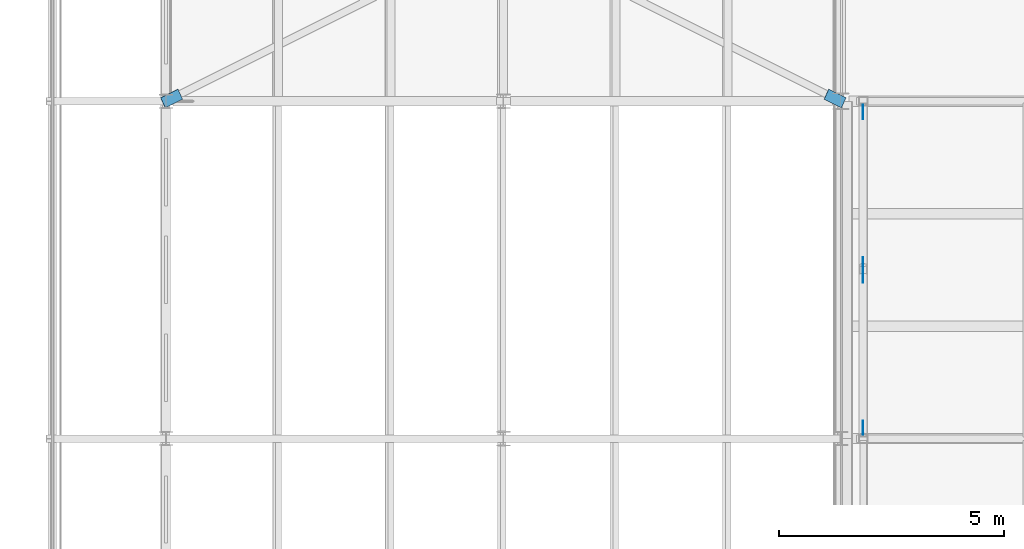
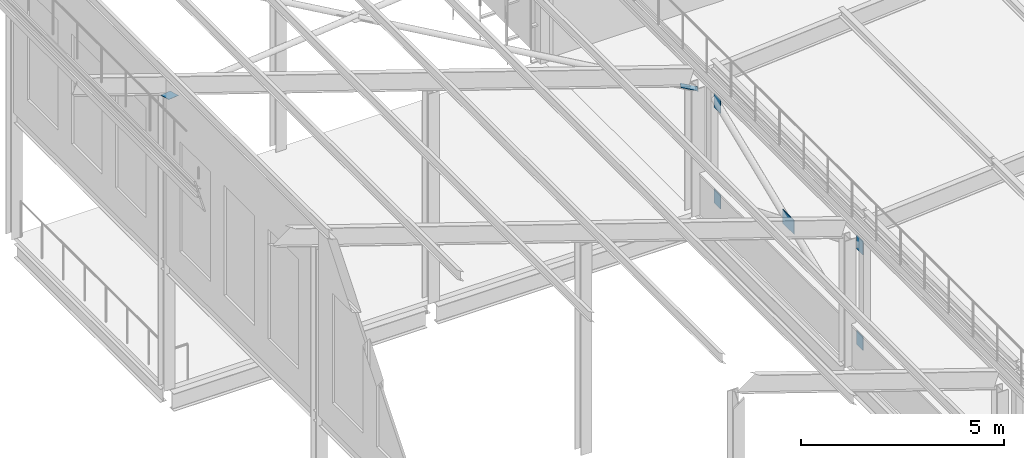
# One storey, part 442 of 483: 7 discrete accessories.
"""IFC4 building model written with IfcOpenShell, lengths in metres."""

from ifc_helpers import new_model, si_unit, direction, frame, origin, place, context, subcontext, project, spatial, polyline, outline, extrude, material, layer, layer_set, type_object, element, save


model = new_model("IFC4")

# Units and contexts
model_context = context("Model", 3, precision=1e-05, world=origin(), true_north=direction((0.0, 1.0)))
body_context = subcontext(model_context, "Body", "Model", "MODEL_VIEW")
ifc_project = project(units=[si_unit("LENGTHUNIT", "METRE"), si_unit("AREAUNIT", "SQUARE_METRE"), si_unit("VOLUMEUNIT", "CUBIC_METRE"), si_unit("PLANEANGLEUNIT", "RADIAN"), si_unit("MASSUNIT", "GRAM", prefix="KILO")], contexts=[model_context])

# Site, building, storey
site_placement = place(None, origin())
site = spatial("IfcSite", under=ifc_project, at=site_placement, CompositionType="ELEMENT")
building_placement = place(site_placement, origin())
building = spatial("IfcBuilding", under=site, at=building_placement, Name="Parallax Yard Mobility Hub", CompositionType="ELEMENT")
storey_placement = place(building_placement, frame((0.0, 0.0, 13.199951171875)))
storey = spatial("IfcBuildingStorey", under=building, at=storey_placement, Name="L04", CompositionType="ELEMENT", Elevation=13.199951171875)

# Discrete accessories
ifc_material = material(Name="Steel ASTM A36", Category="steel")
ifc_layer = layer(ifc_material, 0.011962890625)
ifc_layer_set = layer_set([ifc_layer], Name="Gusset plate PL12")
discrete_accessory_type = type_object("IfcDiscreteAccessoryType", Name="Gusset plate PL12", PredefinedType="BRACKET", material=ifc_layer_set)
discrete_accessory_1_placement = place(storey_placement, frame((180.26513671875, 67.77001953125, 8.623046875), z_axis=(0.316069492494, -0.000251179493, 0.948736007973), x_axis=(-0.857114433211, -0.428816023884, 0.285432419395)))
element("IfcDiscreteAccessory", 1, at=discrete_accessory_1_placement, inside=storey, type_object=discrete_accessory_type, Name="Gusset plate PL12 at end 1 of Roof X brace end bay 2 1", PredefinedType="BRACKET", context=body_context, shape_type="SweptSolid", body=[
    extrude(outline(polyline([(0.0, 0.0), (0.448067822754055, 6.938893903907228e-18), (0.44823969559509347, 0.2482771493251976), (-3.738361238216775e-05, 0.24837645633395833), (0.0, 0.0)])), origin(), (0.0, 0.0, -1.0), 0.011962890625),
])
discrete_accessory_2_placement = place(storey_placement, frame((194.6337890625, 67.545654296875, 3.83349609375), z_axis=(0.316512413132, 2.9719174e-05, 0.94858836776), x_axis=(0.857071119709, -0.428549200314, -0.285962722521)))
element("IfcDiscreteAccessory", 2, at=discrete_accessory_2_placement, inside=storey, type_object=discrete_accessory_type, Name="Gusset plate PL12 at end 1 of Roof X brace end bay 2 2 (half 1)", PredefinedType="BRACKET", context=body_context, shape_type="SweptSolid", body=[
    extrude(outline(polyline([(0.0, 0.0), (0.4483468243144605, -6.938893903907228e-18), (0.4482483167605235, 0.2482771892651573), (0.00011073832489809886, 0.24837643445262184), (0.0, 0.0)])), origin(), (0.0, 0.0, -1.0), 0.011962890625),
])
discrete_accessory_3_placement = place(storey_placement, frame((0.0, 0.0, 0.150146484375)))
element("IfcDiscreteAccessory", 3, at=discrete_accessory_3_placement, inside=storey, type_object=discrete_accessory_type, Name="Gusset plate PL12 RA bay E-A bay 4 foot on post E-A5", PredefinedType="BRACKET", context=body_context, shape_type="SweptSolid", body=[
    extrude(outline(polyline([(195.493896484375, 67.41845703125), (195.493896484375, 67.098388671875), (195.506103515625, 67.098388671875), (195.506103515625, 67.41845703125), (195.493896484375, 67.41845703125)])), origin(), (0.0, 0.0, 1.0), 0.42236328125),
])
for number, where, name in (
    (4, (0.0, 0.0, 3.017578125), "Gusset plate PL12 RA bay E-A bay 4 head on post E-A4"),
    (5, (0.0, 0.0, 0.150146484375), "Gusset plate PL12 RA bay E-A bay 4 foot on post E-A4"),
):
    element("IfcDiscreteAccessory", number, at=place(storey_placement, frame(where)), inside=storey, type_object=discrete_accessory_type, Name=name, PredefinedType="BRACKET", context=body_context, shape_type="SweptSolid", body=[
        extrude(outline(polyline([(195.506103515625, 60.08154296875), (195.506103515625, 60.401611328125), (195.493896484375, 60.401611328125), (195.493896484375, 60.08154296875), (195.506103515625, 60.08154296875)])), origin(), (0.0, 0.0, 1.0), 0.42236328125),
    ])
discrete_accessory_4_placement = place(storey_placement, frame((0.0, 0.0, 3.017578125)))
element("IfcDiscreteAccessory", 6, at=discrete_accessory_4_placement, inside=storey, type_object=discrete_accessory_type, Name="Gusset plate PL12 RA bay E-A bay 4 head on post E-A5", PredefinedType="BRACKET", context=body_context, shape_type="SweptSolid", body=[
    extrude(outline(polyline([(195.493896484375, 67.41845703125), (195.493896484375, 67.098388671875), (195.506103515625, 67.098388671875), (195.506103515625, 67.41845703125), (195.493896484375, 67.41845703125)])), origin(), (0.0, 0.0, 1.0), 0.42236328125),
])
discrete_accessory_5_placement = place(storey_placement, frame((0.0, 0.0, 1.5849609375)))
element("IfcDiscreteAccessory", 7, at=discrete_accessory_5_placement, inside=storey, type_object=discrete_accessory_type, Name="Gusset plate PL12 RA bay E-A bay 4 crossing node", PredefinedType="BRACKET", context=body_context, shape_type="SweptSolid", body=[
    extrude(outline(polyline([(195.506103515625, 63.469970703125), (195.506103515625, 64.030029296875), (195.493896484375, 64.030029296875), (195.493896484375, 63.469970703125), (195.506103515625, 63.469970703125)])), origin(), (0.0, 0.0, 1.0), 0.420166015625),
])

save(model, "model.ifc")
